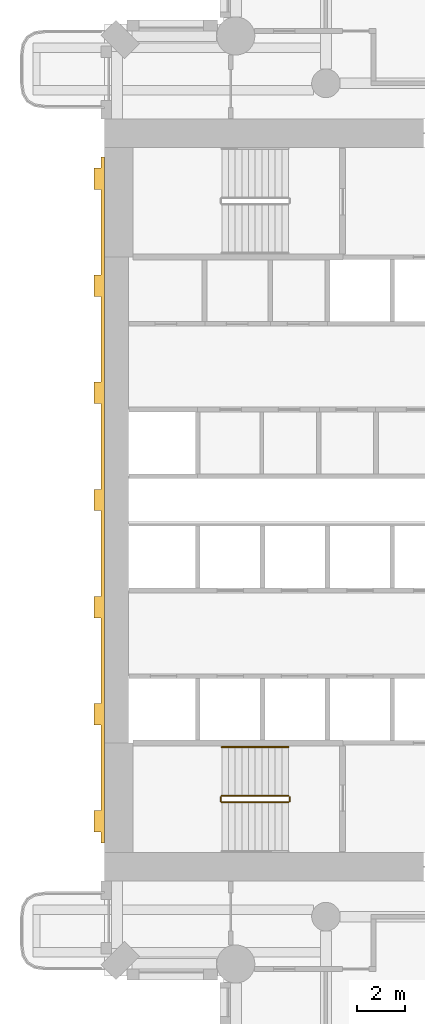
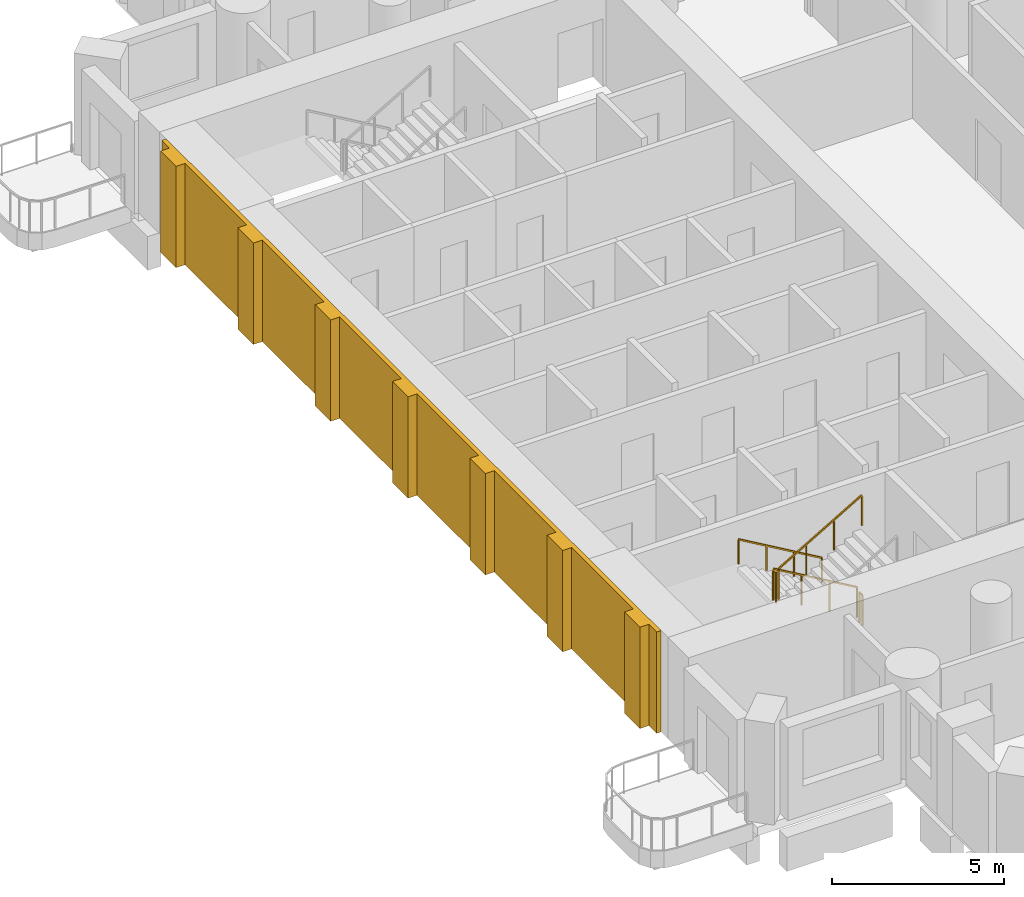
# One storey, part 14 of 20: 5 railings, 1 covering.
"""IFC4 building model written with IfcOpenShell, lengths in metres."""

from ifc_helpers import new_model, si_unit, direction, frame, origin, origin_2d, place, context, subcontext, project, spatial, polyline, rectangle, outline, extrude, material, layer, layer_set, type_object, element, save


model = new_model("IFC4")

# Units and contexts
model_context = context("Model", 3, precision=1e-05, world=origin(), true_north=direction((0.0, 1.0)))
body_context = subcontext(model_context, "Body", "Model", "MODEL_VIEW")
ifc_project = project(units=[si_unit("LENGTHUNIT", "METRE"), si_unit("AREAUNIT", "SQUARE_METRE"), si_unit("VOLUMEUNIT", "CUBIC_METRE"), si_unit("PLANEANGLEUNIT", "RADIAN"), si_unit("MASSUNIT", "GRAM", prefix="KILO")], contexts=[model_context])

# Site, building, storey
site_placement = place(None, origin())
site = spatial("IfcSite", under=ifc_project, at=site_placement, CompositionType="ELEMENT")
building_placement = place(site_placement, origin())
building = spatial("IfcBuilding", under=site, at=building_placement, Name="Cypress Arch Tower", CompositionType="ELEMENT")
storey_placement = place(building_placement, frame((0.0, 0.0, 84.300048828125)))
storey = spatial("IfcBuildingStorey", under=building, at=storey_placement, Name="L15", CompositionType="ELEMENT", Elevation=84.300048828125)

# Railings
ifc_material_1 = material(Name="Black powder-coated steel square bar 48 mm", Category="steel")
railing_type_1 = type_object("IfcRailingType", Name="Stair handrail HR1", PredefinedType="HANDRAIL", material=ifc_material_1)
railing_1_placement = place(storey_placement, frame((-22.27490234375, -10.375, 0.16357421875)))
element("IfcRailing", 1, at=railing_1_placement, inside=storey, type_object=railing_type_1, Name="L15 A stair handrail 1", PredefinedType="HANDRAIL", context=body_context, shape_type="SweptSolid", body=[
    extrude(rectangle(XDim=0.048095703125, YDim=0.048095703125, at=origin_2d()), frame((0.0, 0.0, 0.8759765625), z_axis=(-0.863360870873, 0.0, 0.504586966384), x_axis=(0.0, -1.0, 0.0)), (0.0, 0.0, 1.0), 3.2431640625),
    extrude(rectangle(XDim=0.0419921875, YDim=0.0419921875, at=origin_2d()), origin(), (0.0, 0.0, 1.0), 0.851806640625),
    extrude(rectangle(XDim=0.0419921875, YDim=0.0419921875, at=origin_2d()), frame((-0.933349609375, 0.0, 0.54541015625)), (0.0, 0.0, 1.0), 0.851806640625),
    extrude(rectangle(XDim=0.0419921875, YDim=0.0419921875, at=origin_2d()), frame((-1.86669921875, 0.0, 1.091064453125)), (0.0, 0.0, 1.0), 0.851806640625),
    extrude(rectangle(XDim=0.0419921875, YDim=0.0419921875, at=origin_2d()), frame((-2.800048828125, 0.0, 1.636474609375)), (0.0, 0.0, 1.0), 0.851806640625),
])
ifc_material_2 = material(Name="Black powder-coated steel balusters", Category="steel")
railing_type_2 = type_object("IfcRailingType", Name="Stair well guard G1", PredefinedType="GUARDRAIL", material=ifc_material_2)
railing_2_placement = place(storey_placement, frame((-22.27490234375, -12.425048828125, 0.16357421875)))
element("IfcRailing", 2, at=railing_2_placement, inside=storey, type_object=railing_type_2, Name="L15 A stair guard 1", PredefinedType="GUARDRAIL", context=body_context, shape_type="SweptSolid", body=[
    extrude(rectangle(XDim=0.048095703125, YDim=0.048095703125, at=origin_2d()), frame((0.0, 0.0, 1.076171875), z_axis=(-0.863360870873, 0.0, 0.504586966384), x_axis=(0.0, -1.0, 0.0)), (0.0, 0.0, 1.0), 3.2431640625),
    extrude(rectangle(XDim=0.0419921875, YDim=0.0419921875, at=origin_2d()), origin(), (0.0, 0.0, 1.0), 1.052001953125),
    extrude(rectangle(XDim=0.0419921875, YDim=0.0419921875, at=origin_2d()), frame((-0.933349609375, 0.0, 0.54541015625)), (0.0, 0.0, 1.0), 1.052001953125),
    extrude(rectangle(XDim=0.0419921875, YDim=0.0419921875, at=origin_2d()), frame((-1.86669921875, 0.0, 1.091064453125)), (0.0, 0.0, 1.0), 1.052001953125),
    extrude(rectangle(XDim=0.0419921875, YDim=0.0419921875, at=origin_2d()), frame((-2.800048828125, 0.0, 1.636474609375)), (0.0, 0.0, 1.0), 1.052001953125),
])
railing_3_placement = place(storey_placement, frame((-25.125, -12.47509765625, 1.800048828125)))
element("IfcRailing", 3, at=railing_3_placement, inside=storey, type_object=railing_type_2, Name="L15 A stair guard 2", PredefinedType="GUARDRAIL", context=body_context, shape_type="SweptSolid", body=[
    extrude(rectangle(XDim=0.048095703125, YDim=0.048095703125, at=origin_2d()), frame((0.0, 0.0, 1.076171875), z_axis=(0.0, -1.0, 0.0), x_axis=(1.0, 0.0, 0.0)), (0.0, 0.0, 1.0), 0.1748046875),
    extrude(rectangle(XDim=0.0419921875, YDim=0.0419921875, at=origin_2d()), origin(), (0.0, 0.0, 1.0), 1.052001953125),
    extrude(rectangle(XDim=0.0419921875, YDim=0.0419921875, at=origin_2d()), frame((0.0, -0.1748046875, 0.0)), (0.0, 0.0, 1.0), 1.052001953125),
])
railing_4_placement = place(storey_placement, frame((-25.074951171875, -12.699951171875, 1.963623046875)))
element("IfcRailing", 4, at=railing_4_placement, inside=storey, type_object=railing_type_2, Name="L15 A stair guard 3", PredefinedType="GUARDRAIL", context=body_context, shape_type="SweptSolid", body=[
    extrude(rectangle(XDim=0.048095703125, YDim=0.048095703125, at=origin_2d()), frame((0.0, 0.0, 1.076171875), z_axis=(0.863393664356, 0.0, 0.504530851732), x_axis=(0.0, 1.0, 0.0)), (0.0, 0.0, 1.0), 3.2431640625),
    extrude(rectangle(XDim=0.0419921875, YDim=0.0419921875, at=origin_2d()), origin(), (0.0, 0.0, 1.0), 1.052001953125),
    extrude(rectangle(XDim=0.0419921875, YDim=0.0419921875, at=origin_2d()), frame((0.933349609375, 0.0, 0.54541015625)), (0.0, 0.0, 1.0), 1.052001953125),
    extrude(rectangle(XDim=0.0419921875, YDim=0.0419921875, at=origin_2d()), frame((1.86669921875, 0.0, 1.0908203125)), (0.0, 0.0, 1.0), 1.052001953125),
    extrude(rectangle(XDim=0.0419921875, YDim=0.0419921875, at=origin_2d()), frame((2.800048828125, 0.0, 1.63623046875)), (0.0, 0.0, 1.0), 1.052001953125),
])
railing_5_placement = place(storey_placement, frame((-22.22509765625, -12.47509765625, 0.0)))
element("IfcRailing", 5, at=railing_5_placement, inside=storey, type_object=railing_type_2, Name="L15 A stair guard 4", PredefinedType="GUARDRAIL", context=body_context, shape_type="SweptSolid", body=[
    extrude(rectangle(XDim=0.048095703125, YDim=0.048095703125, at=origin_2d()), frame((0.0, 0.0, 1.076171875), z_axis=(0.0, -1.0, 0.0), x_axis=(1.0, 0.0, 0.0)), (0.0, 0.0, 1.0), 0.1748046875),
    extrude(rectangle(XDim=0.0419921875, YDim=0.0419921875, at=origin_2d()), origin(), (0.0, 0.0, 1.0), 1.052001953125),
    extrude(rectangle(XDim=0.0419921875, YDim=0.0419921875, at=origin_2d()), frame((0.0, -0.1748046875, 0.0)), (0.0, 0.0, 1.0), 1.052001953125),
])

# Covering
ifc_material_3 = material(Name="Brick (red buff blend)", Category="masonry")
ifc_layer = layer(ifc_material_3, 0.449951171875)
ifc_layer_set = layer_set([ifc_layer], Name="West face brick piers WP450")
covering_type = type_object("IfcCoveringType", Name="West face brick piers WP450", PredefinedType="CLADDING", material=ifc_layer_set)
covering_placement = place(storey_placement, origin())
element("IfcCovering", 6, at=covering_placement, inside=storey, type_object=covering_type, Name="West face brick piers L15", PredefinedType="CLADDING", context=body_context, shape_type="SweptSolid", body=[
    extrude(outline(polyline([(-30.14990234375, -13.050048828125), (-30.14990234375, -9.449951171875), (-30.449951171875, -9.449951171875), (-30.449951171875, -8.550048828125), (-30.14990234375, -8.550048828125), (-30.14990234375, -4.949951171875), (-30.449951171875, -4.949951171875), (-30.449951171875, -4.050048828125), (-30.14990234375, -4.050048828125), (-30.14990234375, -0.449951171875), (-30.449951171875, -0.449951171875), (-30.449951171875, 0.449951171875), (-30.14990234375, 0.449951171875), (-30.14990234375, 4.050048828125), (-30.449951171875, 4.050048828125), (-30.449951171875, 4.949951171875), (-30.14990234375, 4.949951171875), (-30.14990234375, 8.550048828125), (-30.449951171875, 8.550048828125), (-30.449951171875, 9.449951171875), (-30.14990234375, 9.449951171875), (-30.14990234375, 13.050048828125), (-30.449951171875, 13.050048828125), (-30.449951171875, 13.949951171875), (-30.14990234375, 13.949951171875), (-30.14990234375, 14.39990234375), (-30.0, 14.39990234375), (-30.0, -14.39990234375), (-30.14990234375, -14.39990234375), (-30.14990234375, -13.949951171875), (-30.449951171875, -13.949951171875), (-30.449951171875, -13.050048828125), (-30.14990234375, -13.050048828125)])), origin(), (0.0, 0.0, 1.0), 3.599853515625),
])

save(model, "model.ifc")
